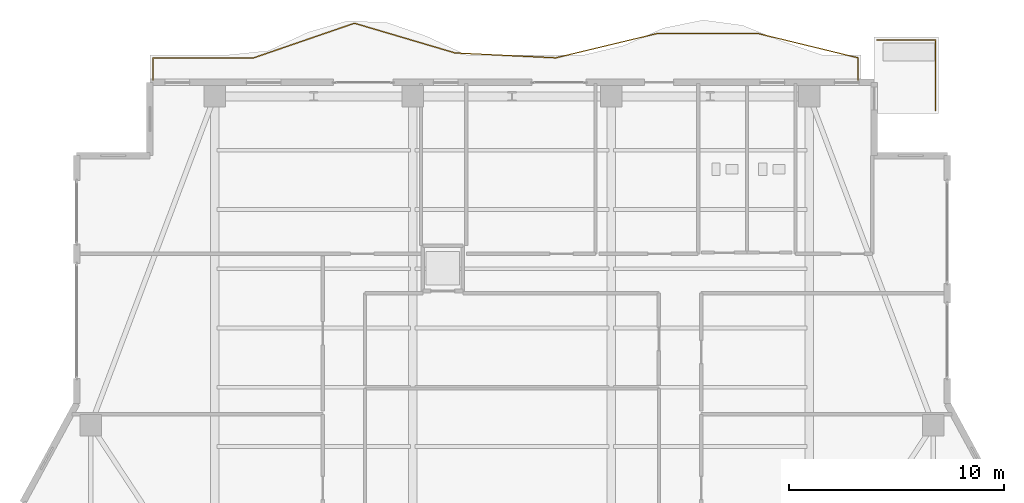
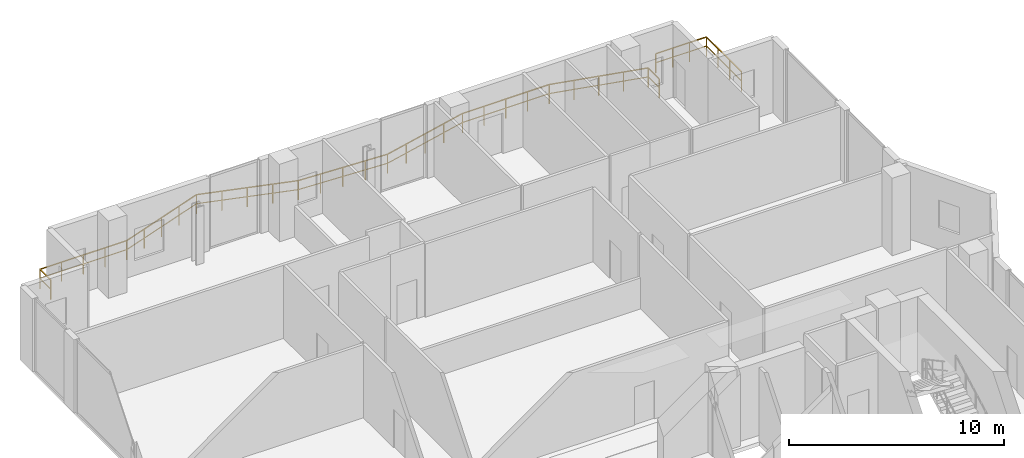
# One storey, part 22 of 24: 2 railings.
"""IFC4 building model written with IfcOpenShell, lengths in metres."""

from ifc_helpers import new_model, si_unit, direction, frame, origin, origin_2d, place, context, subcontext, project, spatial, rectangle, extrude, material, type_object, element, save


model = new_model("IFC4")

# Units and contexts
model_context = context("Model", 3, precision=1e-05, world=origin(), true_north=direction((0.0, 1.0)))
body_context = subcontext(model_context, "Body", "Model", "MODEL_VIEW")
ifc_project = project(units=[si_unit("LENGTHUNIT", "METRE"), si_unit("AREAUNIT", "SQUARE_METRE"), si_unit("VOLUMEUNIT", "CUBIC_METRE"), si_unit("PLANEANGLEUNIT", "RADIAN"), si_unit("MASSUNIT", "GRAM", prefix="KILO")], contexts=[model_context])

# Site, building, storey
site_placement = place(None, origin())
site = spatial("IfcSite", under=ifc_project, at=site_placement, CompositionType="ELEMENT")
building_placement = place(site_placement, origin())
building = spatial("IfcBuilding", under=site, at=building_placement, Name="Zuhayl Quay Hotel", CompositionType="ELEMENT")
storey_placement = place(building_placement, frame((0.0, 0.0, 292.85009765625)))
storey = spatial("IfcBuildingStorey", under=building, at=storey_placement, Name="L74", CompositionType="ELEMENT", Elevation=292.85009765625)

# Railings
ifc_material = material(Name="Anodised Aluminium and Laminated Glass", Category="aluminium")
railing_type = type_object("IfcRailingType", Name="RL_EXT_BAL_1100", PredefinedType="BALUSTRADE", material=ifc_material)
railing_1_placement = place(storey_placement, frame((-16.659912109375, 39.1201171875, 0.0)))
element("IfcRailing", 1, at=railing_1_placement, inside=storey, type_object=railing_type, Name="L74 Balcony and Terrace Guard GR_L74_BAL_N", PredefinedType="BALUSTRADE", context=body_context, shape_type="SweptSolid", body=[
    extrude(rectangle(XDim=0.048095703125, YDim=0.048095703125, at=origin_2d()), frame((0.0, 0.0, 1.09619140625), z_axis=(0.0, 1.0, 0.0), x_axis=(-1.0, 0.0, 0.0)), (0.0, 0.0, 1.0), 1.019775390625),
    extrude(rectangle(XDim=0.0361328125, YDim=0.0361328125, at=origin_2d()), frame((0.0, 0.0, 0.58251953125), z_axis=(0.0, 1.0, 0.0), x_axis=(-1.0, 0.0, 0.0)), (0.0, 0.0, 1.0), 1.019775390625),
    extrude(rectangle(XDim=0.048095703125, YDim=0.048095703125, at=origin_2d()), frame((0.0, 1.019775390625, 1.09619140625), z_axis=(1.0, 0.0, 0.0), x_axis=(0.0, 1.0, 0.0)), (0.0, 0.0, 1.0), 4.67431640625),
    extrude(rectangle(XDim=0.0361328125, YDim=0.0361328125, at=origin_2d()), frame((0.0, 1.019775390625, 0.58251953125), z_axis=(1.0, 0.0, 0.0), x_axis=(0.0, 1.0, 0.0)), (0.0, 0.0, 1.0), 4.67431640625),
    extrude(rectangle(XDim=0.048095703125, YDim=0.048095703125, at=origin_2d()), frame((4.67431640625, 1.019775390625, 1.09619140625), z_axis=(0.945723607341, 0.324972088828, 0.0), x_axis=(-0.324972088828, 0.945723607341, 0.0)), (0.0, 0.0, 1.0), 4.942626953125),
    extrude(rectangle(XDim=0.0361328125, YDim=0.0361328125, at=origin_2d()), frame((4.67431640625, 1.019775390625, 0.58251953125), z_axis=(0.945723607341, 0.324972088828, 0.0), x_axis=(-0.324972088828, 0.945723607341, 0.0)), (0.0, 0.0, 1.0), 4.942626953125),
    extrude(rectangle(XDim=0.048095703125, YDim=0.048095703125, at=origin_2d()), frame((9.3486328125, 2.6259765625, 1.09619140625), z_axis=(0.959010592556, -0.283370223144, 0.0), x_axis=(0.283370223144, 0.959010592556, 0.0)), (0.0, 0.0, 1.0), 4.873779296875),
    extrude(rectangle(XDim=0.0361328125, YDim=0.0361328125, at=origin_2d()), frame((9.3486328125, 2.6259765625, 0.58251953125), z_axis=(0.959010592556, -0.283370223144, 0.0), x_axis=(0.283370223144, 0.959010592556, 0.0)), (0.0, 0.0, 1.0), 4.873779296875),
    extrude(rectangle(XDim=0.048095703125, YDim=0.048095703125, at=origin_2d()), frame((14.022705078125, 1.244873046875, 1.09619140625), z_axis=(0.99884249951, -0.048100531941, 0.0), x_axis=(0.048100531941, 0.99884249951, 0.0)), (0.0, 0.0, 1.0), 4.6796875),
    extrude(rectangle(XDim=0.0361328125, YDim=0.0361328125, at=origin_2d()), frame((14.022705078125, 1.244873046875, 0.58251953125), z_axis=(0.99884249951, -0.048100531941, 0.0), x_axis=(0.048100531941, 0.99884249951, 0.0)), (0.0, 0.0, 1.0), 4.6796875),
    extrude(rectangle(XDim=0.048095703125, YDim=0.048095703125, at=origin_2d()), frame((18.697021484375, 1.019775390625, 1.09619140625), z_axis=(0.972353177996, 0.233515089963, 0.0), x_axis=(-0.233515089963, 0.972353177996, 0.0)), (0.0, 0.0, 1.0), 4.80712890625),
    extrude(rectangle(XDim=0.0361328125, YDim=0.0361328125, at=origin_2d()), frame((18.697021484375, 1.019775390625, 0.58251953125), z_axis=(0.972353177996, 0.233515089963, 0.0), x_axis=(-0.233515089963, 0.972353177996, 0.0)), (0.0, 0.0, 1.0), 4.80712890625),
    extrude(rectangle(XDim=0.048095703125, YDim=0.048095703125, at=origin_2d()), frame((23.371337890625, 2.142333984375, 1.09619140625), z_axis=(0.999995411541, 0.00302933949, 0.0), x_axis=(-0.00302933949, 0.999995411541, 0.0)), (0.0, 0.0, 1.0), 4.67431640625),
    extrude(rectangle(XDim=0.0361328125, YDim=0.0361328125, at=origin_2d()), frame((23.371337890625, 2.142333984375, 0.58251953125), z_axis=(0.999995411541, 0.00302933949, 0.0), x_axis=(-0.00302933949, 0.999995411541, 0.0)), (0.0, 0.0, 1.0), 4.67431640625),
    extrude(rectangle(XDim=0.048095703125, YDim=0.048095703125, at=origin_2d()), frame((28.045654296875, 2.156494140625, 1.09619140625), z_axis=(0.97168083193, -0.236297187583, 0.0), x_axis=(0.236297187583, 0.97168083193, 0.0)), (0.0, 0.0, 1.0), 4.810546875),
    extrude(rectangle(XDim=0.0361328125, YDim=0.0361328125, at=origin_2d()), frame((28.045654296875, 2.156494140625, 0.58251953125), z_axis=(0.97168083193, -0.236297187583, 0.0), x_axis=(0.236297187583, 0.97168083193, 0.0)), (0.0, 0.0, 1.0), 4.810546875),
    extrude(rectangle(XDim=0.048095703125, YDim=0.048095703125, at=origin_2d()), frame((32.719970703125, 1.019775390625, 1.09619140625), z_axis=(0.0, -1.0, 0.0), x_axis=(1.0, 0.0, 0.0)), (0.0, 0.0, 1.0), 1.019775390625),
    extrude(rectangle(XDim=0.0361328125, YDim=0.0361328125, at=origin_2d()), frame((32.719970703125, 1.019775390625, 0.58251953125), z_axis=(0.0, -1.0, 0.0), x_axis=(1.0, 0.0, 0.0)), (0.0, 0.0, 1.0), 1.019775390625),
    extrude(rectangle(XDim=0.0419921875, YDim=0.0419921875, at=origin_2d()), origin(), (0.0, 0.0, 1.0), 1.072021484375),
    extrude(rectangle(XDim=0.0419921875, YDim=0.0419921875, at=origin_2d()), frame((0.0, 1.019775390625, 0.0)), (0.0, 0.0, 1.0), 1.072021484375),
    extrude(rectangle(XDim=0.0419921875, YDim=0.0419921875, at=origin_2d()), frame((1.16845703125, 1.019775390625, 0.0)), (0.0, 0.0, 1.0), 1.072021484375),
    extrude(rectangle(XDim=0.0419921875, YDim=0.0419921875, at=origin_2d()), frame((2.337158203125, 1.019775390625, 0.0)), (0.0, 0.0, 1.0), 1.072021484375),
    extrude(rectangle(XDim=0.0419921875, YDim=0.0419921875, at=origin_2d()), frame((3.505859375, 1.019775390625, 0.0)), (0.0, 0.0, 1.0), 1.072021484375),
    extrude(rectangle(XDim=0.0419921875, YDim=0.0419921875, at=origin_2d()), frame((4.67431640625, 1.019775390625, 0.0)), (0.0, 0.0, 1.0), 1.072021484375),
    extrude(rectangle(XDim=0.0419921875, YDim=0.0419921875, at=origin_2d()), frame((5.8427734375, 1.42138671875, 0.0)), (0.0, 0.0, 1.0), 1.072021484375),
    extrude(rectangle(XDim=0.0419921875, YDim=0.0419921875, at=origin_2d()), frame((7.011474609375, 1.82275390625, 0.0)), (0.0, 0.0, 1.0), 1.072021484375),
    extrude(rectangle(XDim=0.0419921875, YDim=0.0419921875, at=origin_2d()), frame((8.18017578125, 2.224365234375, 0.0)), (0.0, 0.0, 1.0), 1.072021484375),
    extrude(rectangle(XDim=0.0419921875, YDim=0.0419921875, at=origin_2d()), frame((9.3486328125, 2.6259765625, 0.0)), (0.0, 0.0, 1.0), 1.072021484375),
    extrude(rectangle(XDim=0.0419921875, YDim=0.0419921875, at=origin_2d()), frame((10.51708984375, 2.28076171875, 0.0)), (0.0, 0.0, 1.0), 1.072021484375),
    extrude(rectangle(XDim=0.0419921875, YDim=0.0419921875, at=origin_2d()), frame((11.685546875, 1.935546875, 0.0)), (0.0, 0.0, 1.0), 1.072021484375),
    extrude(rectangle(XDim=0.0419921875, YDim=0.0419921875, at=origin_2d()), frame((12.854248046875, 1.590087890625, 0.0)), (0.0, 0.0, 1.0), 1.072021484375),
    extrude(rectangle(XDim=0.0419921875, YDim=0.0419921875, at=origin_2d()), frame((14.022705078125, 1.244873046875, 0.0)), (0.0, 0.0, 1.0), 1.072021484375),
    extrude(rectangle(XDim=0.0419921875, YDim=0.0419921875, at=origin_2d()), frame((15.19140625, 1.1884765625, 0.0)), (0.0, 0.0, 1.0), 1.072021484375),
    extrude(rectangle(XDim=0.0419921875, YDim=0.0419921875, at=origin_2d()), frame((16.35986328125, 1.13232421875, 0.0)), (0.0, 0.0, 1.0), 1.072021484375),
    extrude(rectangle(XDim=0.0419921875, YDim=0.0419921875, at=origin_2d()), frame((17.5283203125, 1.076171875, 0.0)), (0.0, 0.0, 1.0), 1.072021484375),
    extrude(rectangle(XDim=0.0419921875, YDim=0.0419921875, at=origin_2d()), frame((18.697021484375, 1.019775390625, 0.0)), (0.0, 0.0, 1.0), 1.072021484375),
    extrude(rectangle(XDim=0.0419921875, YDim=0.0419921875, at=origin_2d()), frame((19.86572265625, 1.30029296875, 0.0)), (0.0, 0.0, 1.0), 1.072021484375),
    extrude(rectangle(XDim=0.0419921875, YDim=0.0419921875, at=origin_2d()), frame((21.0341796875, 1.5810546875, 0.0)), (0.0, 0.0, 1.0), 1.072021484375),
    extrude(rectangle(XDim=0.0419921875, YDim=0.0419921875, at=origin_2d()), frame((22.20263671875, 1.86181640625, 0.0)), (0.0, 0.0, 1.0), 1.072021484375),
    extrude(rectangle(XDim=0.0419921875, YDim=0.0419921875, at=origin_2d()), frame((23.371337890625, 2.142333984375, 0.0)), (0.0, 0.0, 1.0), 1.072021484375),
    extrude(rectangle(XDim=0.0419921875, YDim=0.0419921875, at=origin_2d()), frame((24.5400390625, 2.14599609375, 0.0)), (0.0, 0.0, 1.0), 1.072021484375),
    extrude(rectangle(XDim=0.0419921875, YDim=0.0419921875, at=origin_2d()), frame((25.70849609375, 2.1494140625, 0.0)), (0.0, 0.0, 1.0), 1.072021484375),
    extrude(rectangle(XDim=0.0419921875, YDim=0.0419921875, at=origin_2d()), frame((26.876953125, 2.15283203125, 0.0)), (0.0, 0.0, 1.0), 1.072021484375),
    extrude(rectangle(XDim=0.0419921875, YDim=0.0419921875, at=origin_2d()), frame((28.045654296875, 2.156494140625, 0.0)), (0.0, 0.0, 1.0), 1.072021484375),
    extrude(rectangle(XDim=0.0419921875, YDim=0.0419921875, at=origin_2d()), frame((29.21435546875, 1.872314453125, 0.0)), (0.0, 0.0, 1.0), 1.072021484375),
    extrude(rectangle(XDim=0.0419921875, YDim=0.0419921875, at=origin_2d()), frame((30.3828125, 1.588134765625, 0.0)), (0.0, 0.0, 1.0), 1.072021484375),
    extrude(rectangle(XDim=0.0419921875, YDim=0.0419921875, at=origin_2d()), frame((31.55126953125, 1.303955078125, 0.0)), (0.0, 0.0, 1.0), 1.072021484375),
    extrude(rectangle(XDim=0.0419921875, YDim=0.0419921875, at=origin_2d()), frame((32.719970703125, 1.019775390625, 0.0)), (0.0, 0.0, 1.0), 1.072021484375),
    extrude(rectangle(XDim=0.0419921875, YDim=0.0419921875, at=origin_2d()), frame((32.719970703125, 0.0, 0.0)), (0.0, 0.0, 1.0), 1.072021484375),
])
railing_2_placement = place(storey_placement, frame((19.659912109375, 37.68994140625, 0.0)))
element("IfcRailing", 2, at=railing_2_placement, inside=storey, type_object=railing_type, Name="L74 Balcony and Terrace Guard GR_L74_SPIRAL_NE", PredefinedType="BALUSTRADE", context=body_context, shape_type="SweptSolid", body=[
    extrude(rectangle(XDim=0.048095703125, YDim=0.048095703125, at=origin_2d()), frame((0.0, 0.0, 1.09619140625), z_axis=(0.0, 1.0, 0.0), x_axis=(-1.0, 0.0, 0.0)), (0.0, 0.0, 1.0), 3.27001953125),
    extrude(rectangle(XDim=0.0361328125, YDim=0.0361328125, at=origin_2d()), frame((0.0, 0.0, 0.58251953125), z_axis=(0.0, 1.0, 0.0), x_axis=(-1.0, 0.0, 0.0)), (0.0, 0.0, 1.0), 3.27001953125),
    extrude(rectangle(XDim=0.048095703125, YDim=0.048095703125, at=origin_2d()), frame((0.0, 3.27001953125, 1.09619140625), z_axis=(-1.0, 0.0, 0.0), x_axis=(0.0, -1.0, 0.0)), (0.0, 0.0, 1.0), 2.719970703125),
    extrude(rectangle(XDim=0.0361328125, YDim=0.0361328125, at=origin_2d()), frame((0.0, 3.27001953125, 0.58251953125), z_axis=(-1.0, 0.0, 0.0), x_axis=(0.0, -1.0, 0.0)), (0.0, 0.0, 1.0), 2.719970703125),
    extrude(rectangle(XDim=0.0419921875, YDim=0.0419921875, at=origin_2d()), origin(), (0.0, 0.0, 1.0), 1.072021484375),
    extrude(rectangle(XDim=0.0419921875, YDim=0.0419921875, at=origin_2d()), frame((0.0, 1.090087890625, 0.0)), (0.0, 0.0, 1.0), 1.072021484375),
    extrude(rectangle(XDim=0.0419921875, YDim=0.0419921875, at=origin_2d()), frame((0.0, 2.179931640625, 0.0)), (0.0, 0.0, 1.0), 1.072021484375),
    extrude(rectangle(XDim=0.0419921875, YDim=0.0419921875, at=origin_2d()), frame((0.0, 3.27001953125, 0.0)), (0.0, 0.0, 1.0), 1.072021484375),
    extrude(rectangle(XDim=0.0419921875, YDim=0.0419921875, at=origin_2d()), frame((-0.90673828125, 3.27001953125, 0.0)), (0.0, 0.0, 1.0), 1.072021484375),
    extrude(rectangle(XDim=0.0419921875, YDim=0.0419921875, at=origin_2d()), frame((-1.813232421875, 3.27001953125, 0.0)), (0.0, 0.0, 1.0), 1.072021484375),
    extrude(rectangle(XDim=0.0419921875, YDim=0.0419921875, at=origin_2d()), frame((-2.719970703125, 3.27001953125, 0.0)), (0.0, 0.0, 1.0), 1.072021484375),
])

save(model, "model.ifc")
